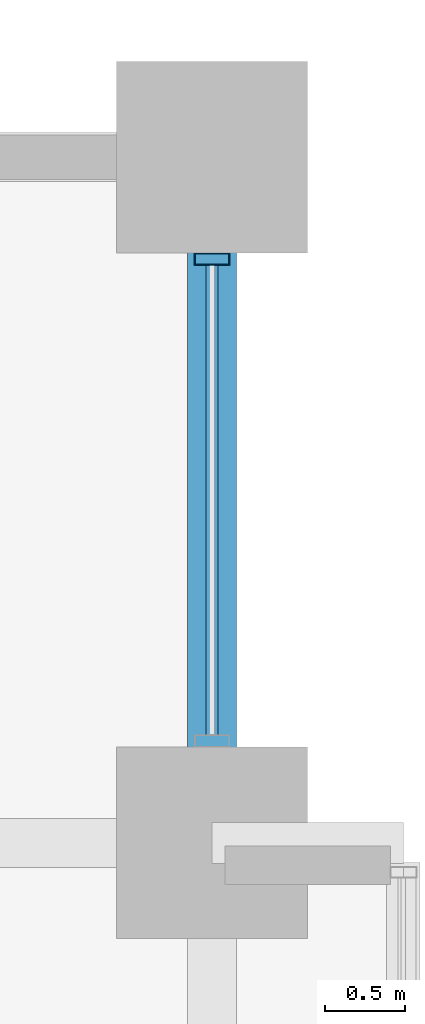
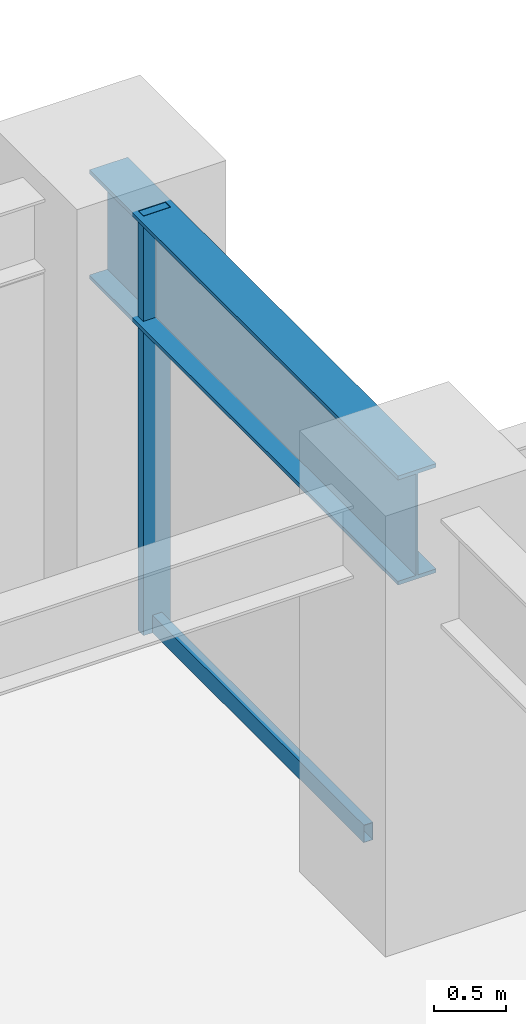
# One storey, part 18 of 27: 2 members, 1 beam, 1 element without a shape of its own.
"""IFC4 building model written with IfcOpenShell, lengths in metres."""

from ifc_helpers import new_model, si_unit, direction, frame, origin, origin_2d, place, context, subcontext, project, spatial, hollow_rectangle, i_section, extrude, material, layer, layer_set, material_profile, profile_set, type_object, element, aggregate, save


model = new_model("IFC4")

# Units and contexts
model_context = context("Model", 3, precision=1e-05, world=origin(), true_north=direction((0.0, 1.0)))
body_context = subcontext(model_context, "Body", "Model", "MODEL_VIEW")
ifc_project = project(units=[si_unit("LENGTHUNIT", "METRE"), si_unit("AREAUNIT", "SQUARE_METRE"), si_unit("VOLUMEUNIT", "CUBIC_METRE"), si_unit("PLANEANGLEUNIT", "RADIAN"), si_unit("MASSUNIT", "GRAM", prefix="KILO")], contexts=[model_context])

# Site, building, storey
site_placement = place(None, origin())
site = spatial("IfcSite", under=ifc_project, at=site_placement, CompositionType="ELEMENT")
building_placement = place(site_placement, origin())
building = spatial("IfcBuilding", under=site, at=building_placement, Name="Surkhivell Harbour Commons", CompositionType="ELEMENT")
storey_placement = place(building_placement, frame((0.0, 0.0, 56.25)))
storey = spatial("IfcBuildingStorey", under=building, at=storey_placement, Name="L14", CompositionType="ELEMENT", Elevation=56.25)

# Beam
ifc_material_1 = material(Name="Steel S460", Category="steel")
ifc_material_profile_1 = material_profile(ifc_material_1, i_section(OverallWidth=0.30810546875, OverallDepth=0.927001953125, WebThickness=0.01953125, FlangeThickness=0.031982421875, at=origin_2d()), Name="UB914x305x289")
ifc_profile_set_1 = profile_set([ifc_material_profile_1], Name="Steel S460")
beam_type = type_object("IfcBeamType", Name="BM-SPN-914B", PredefinedType="SPANDREL", material=ifc_profile_set_1)
beam_placement = place(storey_placement, frame((32.39990234375, 16.199951171875, 3.1064453125), z_axis=(0.0, 1.0, 0.0), x_axis=(-1.0, 0.0, 0.0)))
element("IfcBeam", 1, at=beam_placement, inside=storey, type_object=beam_type, Name="L14 Tube Spandrel (32.4,16.2)", PredefinedType="SPANDREL", context=body_context, shape_type="SweptSolid", body=[
    extrude(i_section(OverallWidth=0.30810546875, OverallDepth=0.927001953125, WebThickness=0.01953125, FlangeThickness=0.031982421875, at=origin_2d()), origin(), (0.0, 0.0, 1.0), 4.300048828125),
])

# Curtain wall, members
ifc_material_2 = material(Name="Anodised pale-metal aluminium and insulated glazing", Category="aluminium")
ifc_layer = layer(ifc_material_2, 0.219970703125)
ifc_layer_set = layer_set([ifc_layer], Name="Anodised pale-metal aluminium and insulated glazing")
curtain_wall_type = type_object("IfcCurtainWallType", Name="CW-SYS-Z1", PredefinedType="NOTDEFINED", material=ifc_layer_set)
curtain_wall_placement = place(storey_placement, origin())
curtain_wall = element("IfcCurtainWall", 2, at=curtain_wall_placement, inside=storey, type_object=curtain_wall_type, Name="L14 Curtain Wall CW-L14-E02R2", PredefinedType="NOTDEFINED")
ifc_material_3 = material(Name="Anodised pale-metal aluminium alloy 6063-T6", Category="aluminium")
ifc_material_profile_2 = material_profile(ifc_material_3, hollow_rectangle(XDim=0.074951171875, YDim=0.219970703125, WallThickness=0.00390625, at=origin_2d()), Name="ALU-MULL-75x220")
ifc_profile_set_2 = profile_set([ifc_material_profile_2], Name="Anodised pale-metal aluminium alloy 6063-T6")
member_type_1 = type_object("IfcMemberType", Name="CWM-220", PredefinedType="MULLION", material=ifc_profile_set_2)
member_1_placement = place(storey_placement, frame((32.39990234375, 19.860595703125, 0.0), z_axis=(0.0, 0.0, 1.0), x_axis=(0.0, 1.0, 0.0)))
member_1 = element("IfcMember", 3, at=member_1_placement, type_object=member_type_1, Name="CW-Z1 mullion 2", PredefinedType="MULLION", context=body_context, shape_type="SweptSolid", body=[
    extrude(hollow_rectangle(XDim=0.074951171875, YDim=0.219970703125, WallThickness=0.00390625, at=origin_2d()), origin(), (0.0, 0.0, 1.0), 3.570068359375),
])
ifc_material_profile_3 = material_profile(ifc_material_3, hollow_rectangle(XDim=0.074951171875, YDim=0.14990234375, WallThickness=0.00341796875, at=origin_2d()), Name="ALU-TRAN-75x150")
ifc_profile_set_3 = profile_set([ifc_material_profile_3], Name="Anodised pale-metal aluminium alloy 6063-T6")
member_type_2 = type_object("IfcMemberType", Name="CWT-150", PredefinedType="USERDEFINED", material=ifc_profile_set_3)
member_2_placement = place(storey_placement, frame((32.39990234375, 16.876953125, 0.074951171875), z_axis=(0.0, 1.0, 0.0), x_axis=(-1.0, 0.0, 0.0)))
member_2 = element("IfcMember", 4, at=member_2_placement, type_object=member_type_2, Name="CW-Z1 transom 1.1", ObjectType="TRANSOM", PredefinedType="USERDEFINED", context=body_context, shape_type="SweptSolid", body=[
    extrude(hollow_rectangle(XDim=0.074951171875, YDim=0.14990234375, WallThickness=0.00341796875, at=origin_2d()), origin(), (0.0, 0.0, 1.0), 2.946044921875),
])
aggregate(curtain_wall, [member_1, member_2])

save(model, "model.ifc")
